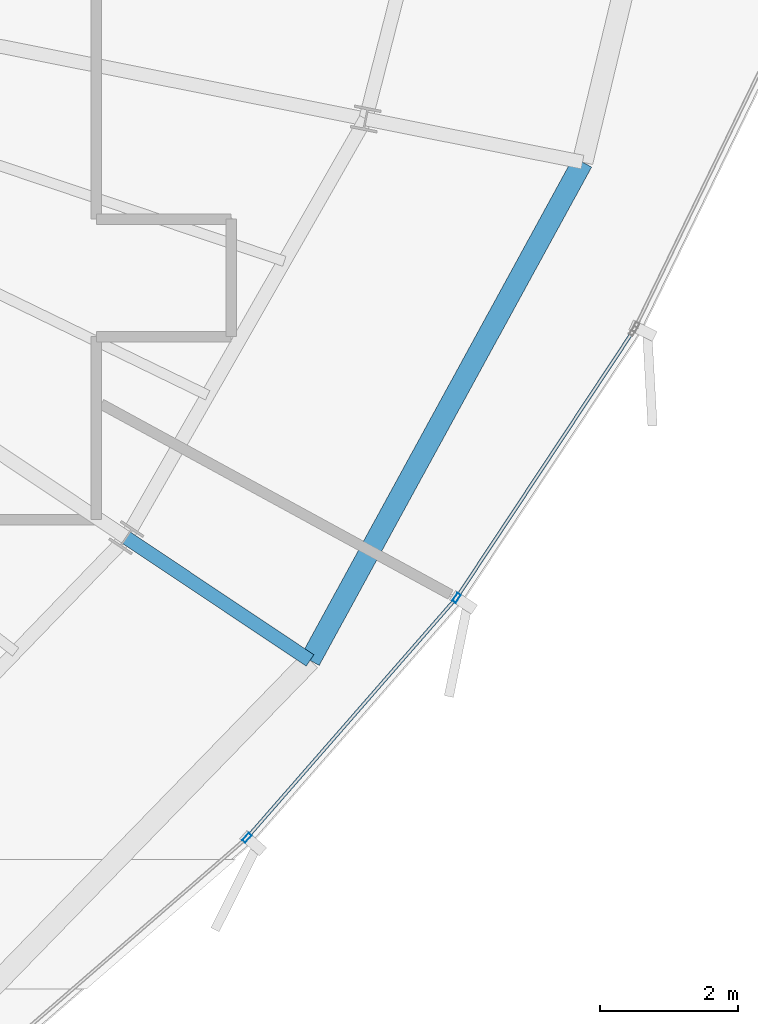
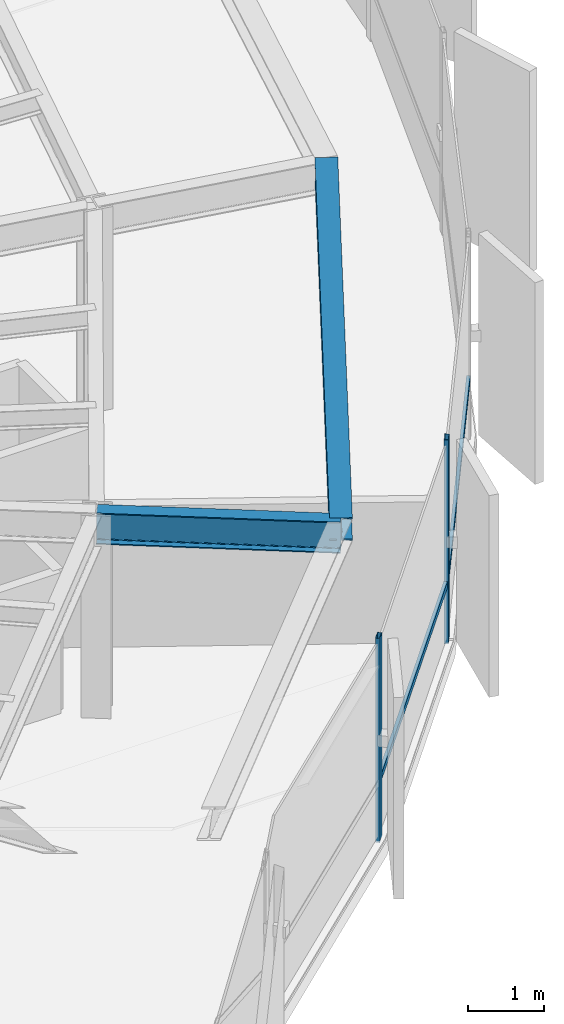
# One storey, part 15 of 34: 4 members, 2 beams, 1 element without a shape of its own.
"""IFC4 building model written with IfcOpenShell, lengths in metres."""

from ifc_helpers import new_model, si_unit, direction, frame, origin, origin_2d, place, context, subcontext, project, spatial, hollow_rectangle, i_section, extrude, source, transform, mapped, material, layer, layer_set, material_profile, profile_set, type_object, element, aggregate, save


model = new_model("IFC4")

# Units and contexts
model_context = context("Model", 3, precision=1e-05, world=origin(), true_north=direction((0.0, 1.0)))
body_context = subcontext(model_context, "Body", "Model", "MODEL_VIEW")
ifc_project = project(units=[si_unit("LENGTHUNIT", "METRE"), si_unit("AREAUNIT", "SQUARE_METRE"), si_unit("VOLUMEUNIT", "CUBIC_METRE"), si_unit("PLANEANGLEUNIT", "RADIAN"), si_unit("MASSUNIT", "GRAM", prefix="KILO"), si_unit("THERMODYNAMICTEMPERATUREUNIT", "KELVIN")], contexts=[model_context])

# Site, building, storey
site_placement = place(None, origin())
site = spatial("IfcSite", under=ifc_project, at=site_placement, CompositionType="ELEMENT")
building_placement = place(site_placement, origin())
building = spatial("IfcBuilding", under=site, at=building_placement, Name="Kethvar Cultural Tower", CompositionType="ELEMENT")
storey_placement = place(building_placement, frame((0.0, 0.0, 183.39990234375)))
storey = spatial("IfcBuildingStorey", under=building, at=storey_placement, Name="L47", CompositionType="ELEMENT", Elevation=183.39990234375)

# Beams
ifc_material_1 = material(Name="Steel S355J2", Category="steel")
ifc_material_profile_1 = material_profile(ifc_material_1, i_section(OverallWidth=0.199951171875, OverallDepth=0.5, WebThickness=0.01025390625, FlangeThickness=0.01611328125, FilletRadius=0.02099609375, at=origin_2d()), Name="Steel S355J2 — IPE500")
ifc_profile_set_1 = profile_set([ifc_material_profile_1], Name="Steel S355J2 — IPE500")
beam_type_1 = type_object("IfcBeamType", Name="BM-IPE500", PredefinedType="BEAM", material=ifc_profile_set_1)
shared_shape_1 = source(origin(), body_context, "Body", "SweptSolid", [
    extrude(i_section(OverallWidth=0.199951171875, OverallDepth=0.5, WebThickness=0.01025390625, FlangeThickness=0.01611328125, FilletRadius=0.02099609375, at=origin_2d()), origin(), (0.0, 0.0, 1.0), 3.199951171875),
])
beam_1_placement = place(storey_placement, frame((61.1826171875, 18.18994140625, 3.008056640625), z_axis=(0.831462943996, -0.555580212716, 0.0), x_axis=(0.555580212716, 0.831462943996, 0.0)))
element("IfcBeam", 1, at=beam_1_placement, inside=storey, type_object=beam_type_1, Name="L47 Perimeter Cantilever Beam RC-15", PredefinedType="BEAM", context=body_context, shape_type="MappedRepresentation", body=[
    mapped(shared_shape_1, transform((0.0, 0.0, 0.0), scale=1.0)),
])
ifc_material_profile_2 = material_profile(ifc_material_1, i_section(OverallWidth=0.300048828125, OverallDepth=0.360107421875, WebThickness=0.012451171875, FlangeThickness=0.0224609375, FilletRadius=0.027099609375, at=origin_2d()), Name="Steel S355J2 — HEB360")
ifc_profile_set_2 = profile_set([ifc_material_profile_2], Name="Steel S355J2 — HEB360")
beam_type_2 = type_object("IfcBeamType", Name="BM-SP360", PredefinedType="SPANDREL", material=ifc_profile_set_2)
shared_shape_2 = source(origin(), body_context, "Body", "SweptSolid", [
    extrude(i_section(OverallWidth=0.300048828125, OverallDepth=0.360107421875, WebThickness=0.012451171875, FlangeThickness=0.0224609375, FilletRadius=0.027099609375, at=origin_2d()), origin(), (0.0, 0.0, 1.0), 8.22119140625),
])
beam_2_placement = place(storey_placement, frame((63.84326171875, 16.412109375, 3.078125), z_axis=(0.479721613821, 0.8774207504, 0.0), x_axis=(-0.8774207504, 0.479721613821, 0.0)))
element("IfcBeam", 2, at=beam_2_placement, inside=storey, type_object=beam_type_2, Name="L47 Perimeter Spandrel Beam SP-15", PredefinedType="SPANDREL", context=body_context, shape_type="MappedRepresentation", body=[
    mapped(shared_shape_2, transform((0.0, 0.0, 0.0), scale=1.0)),
])

# Curtain wall, members
ifc_material_2 = material(Name="Aluminium 6063-T6", Category="aluminium")
ifc_layer = layer(ifc_material_2, 0.179931640625, Name="Aluminium 6063-T6", Category="aluminium")
ifc_layer_set = layer_set([ifc_layer], Name="Aluminium 6063-T6 (180 mm)")
curtain_wall_type = type_object("IfcCurtainWallType", Name="CW-SYS-04-Z34", PredefinedType="NOTDEFINED", material=ifc_layer_set)
curtain_wall_placement = place(storey_placement, origin())
curtain_wall = element("IfcCurtainWall", 3, at=curtain_wall_placement, inside=storey, type_object=curtain_wall_type, Name="L47 Curtain Wall Run 05", PredefinedType="NOTDEFINED")
ifc_material_profile_3 = material_profile(ifc_material_2, hollow_rectangle(XDim=0.06005859375, YDim=0.139892578125, WallThickness=0.0048828125, at=origin_2d()), Name="Aluminium 6063-T6 — RHS140x60x5")
ifc_profile_set_3 = profile_set([ifc_material_profile_3], Name="Aluminium 6063-T6 — RHS140x60x5")
member_type_1 = type_object("IfcMemberType", Name="CW-SYS-04-Z34-MUL", PredefinedType="MULLION", material=ifc_profile_set_3)
shared_shape_3 = source(origin(), body_context, "Body", "SweptSolid", [
    extrude(hollow_rectangle(XDim=0.06005859375, YDim=0.139892578125, WallThickness=0.0048828125, at=origin_2d()), origin(), (0.0, 0.0, 1.0), 3.260009765625),
])
member_1_placement = place(storey_placement, frame((62.928955078125, 13.844482421875, 0.0), z_axis=(0.0, 0.0, 1.0), x_axis=(-0.753253527856, 0.657730281173, 0.0)))
member_1 = element("IfcMember", 4, at=member_1_placement, type_object=member_type_1, Name="CW-L47-R05 Mullion 5", PredefinedType="MULLION", context=body_context, shape_type="MappedRepresentation", body=[
    mapped(shared_shape_3, transform((0.0, 0.0, 0.0), scale=1.0)),
])
member_2_placement = place(storey_placement, frame((65.96337890625, 17.31787109375, 0.0), z_axis=(0.0, 0.0, 1.0), x_axis=(-0.833808748998, 0.552053412357, 0.0)))
member_2 = element("IfcMember", 5, at=member_2_placement, type_object=member_type_1, Name="CW-L47-R05 Mullion 6", PredefinedType="MULLION", context=body_context, shape_type="MappedRepresentation", body=[
    mapped(shared_shape_3, transform((0.0, 0.0, 0.0), scale=1.0)),
])
ifc_material_profile_4 = material_profile(ifc_material_2, hollow_rectangle(XDim=0.050048828125, YDim=0.10009765625, WallThickness=0.00390625, at=origin_2d()), Name="Aluminium 6063-T6 — RHS100x50x4")
ifc_profile_set_4 = profile_set([ifc_material_profile_4], Name="Aluminium 6063-T6 — RHS100x50x4")
member_type_2 = type_object("IfcMemberType", Name="CW-SYS-04-Z34-TRN", PredefinedType="USERDEFINED", material=ifc_profile_set_4)
shared_shape_4 = source(origin(), body_context, "Body", "SweptSolid", [
    extrude(hollow_rectangle(XDim=0.050048828125, YDim=0.10009765625, WallThickness=0.00390625, at=origin_2d()), origin(), (0.0, 0.0, 1.0), 4.5400390625),
])
member_3_placement = place(storey_placement, frame((62.95751953125, 13.876953125, 0.9501953125), z_axis=(0.657712382388, 0.753269156446, 0.0), x_axis=(-0.753269156446, 0.657712382388, 0.0)))
member_3 = element("IfcMember", 6, at=member_3_placement, type_object=member_type_2, Name="CW-L47-R05 Transom 5", ObjectType="TRANSOM", PredefinedType="USERDEFINED", context=body_context, shape_type="MappedRepresentation", body=[
    mapped(shared_shape_4, transform((0.0, 0.0, 0.0), scale=1.0)),
])
shared_shape_5 = source(origin(), body_context, "Body", "SweptSolid", [
    extrude(hollow_rectangle(XDim=0.050048828125, YDim=0.10009765625, WallThickness=0.00390625, at=origin_2d()), origin(), (0.0, 0.0, 1.0), 4.587646484375),
])
member_4_placement = place(storey_placement, frame((65.987060546875, 17.353759765625, 0.9501953125), z_axis=(0.552069346299, 0.833798199133, 0.0), x_axis=(-0.833798199133, 0.552069346299, 0.0)))
member_4 = element("IfcMember", 7, at=member_4_placement, type_object=member_type_2, Name="CW-L47-R05 Transom 6", ObjectType="TRANSOM", PredefinedType="USERDEFINED", context=body_context, shape_type="MappedRepresentation", body=[
    mapped(shared_shape_5, transform((0.0, 0.0, 0.0), scale=1.0)),
])
aggregate(curtain_wall, [member_1, member_2, member_3, member_4])

save(model, "model.ifc")
